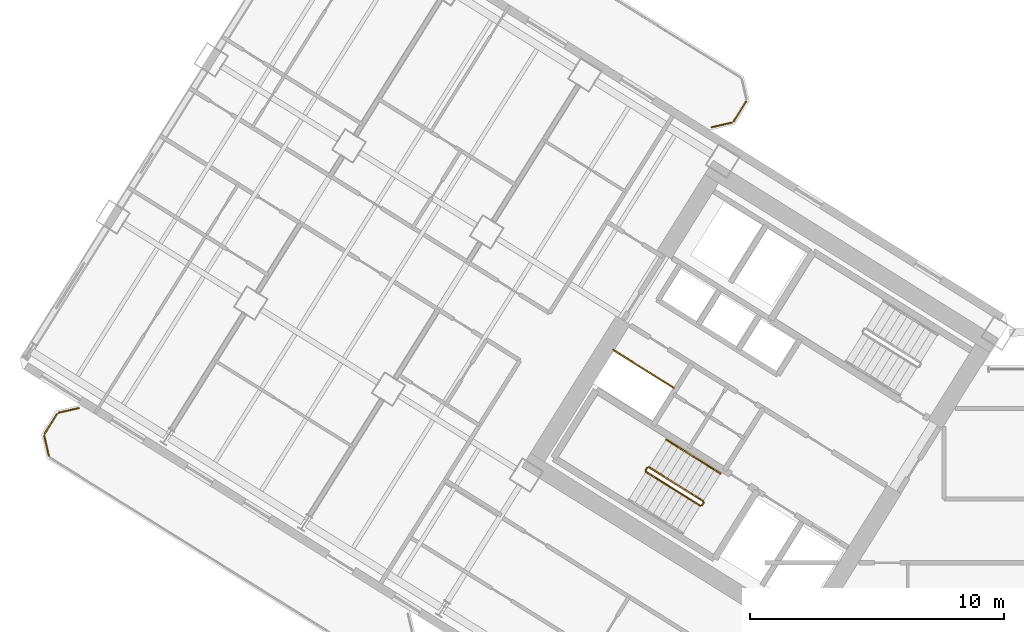
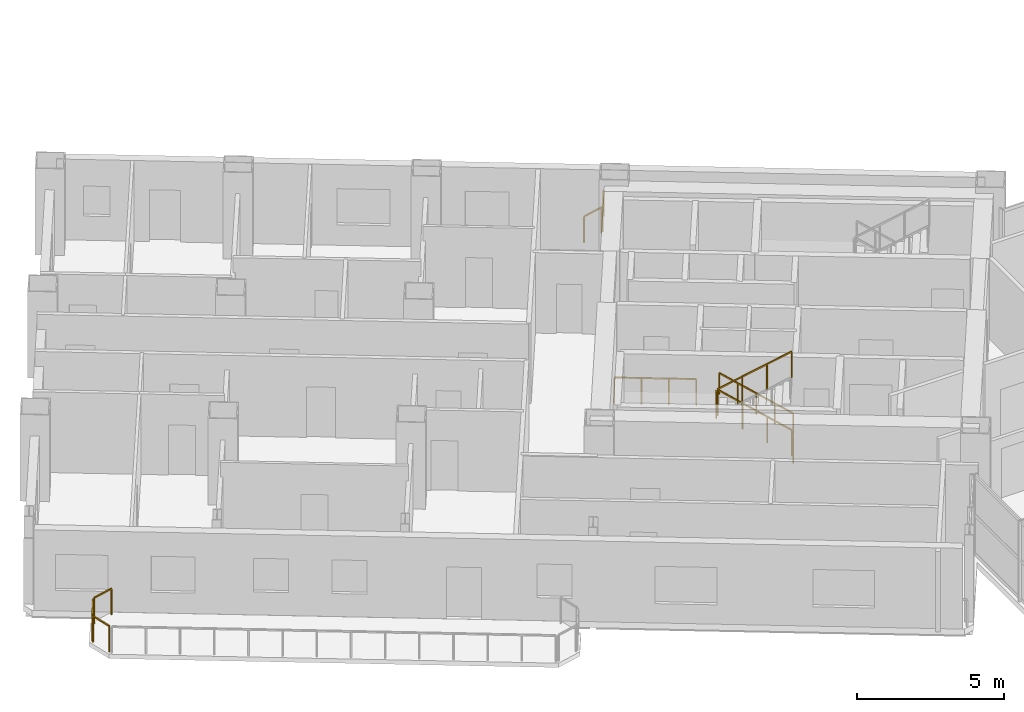
# One storey, part 22 of 24: 12 railings.
"""IFC4 building model written with IfcOpenShell, lengths in metres."""

from ifc_helpers import new_model, si_unit, direction, frame, origin, origin_2d, place, context, subcontext, project, spatial, rectangle, extrude, source, transform, mapped, material, type_object, element, save


model = new_model("IFC4")

# Units and contexts
model_context = context("Model", 3, precision=1e-05, world=origin(), true_north=direction((0.0, 1.0)))
body_context = subcontext(model_context, "Body", "Model", "MODEL_VIEW")
ifc_project = project(units=[si_unit("LENGTHUNIT", "METRE"), si_unit("AREAUNIT", "SQUARE_METRE"), si_unit("VOLUMEUNIT", "CUBIC_METRE"), si_unit("PLANEANGLEUNIT", "RADIAN"), si_unit("MASSUNIT", "GRAM", prefix="KILO")], contexts=[model_context])

# Site, building, storey
site_placement = place(None, origin())
site = spatial("IfcSite", under=ifc_project, at=site_placement, CompositionType="ELEMENT")
building_placement = place(site_placement, origin())
building = spatial("IfcBuilding", under=site, at=building_placement, Name="Tlacorven Tower", CompositionType="ELEMENT")
storey_placement = place(building_placement, frame((0.0, 0.0, 45.60009765625)))
storey = spatial("IfcBuildingStorey", under=building, at=storey_placement, Name="L11", CompositionType="ELEMENT", Elevation=45.60009765625)

# Railings
ifc_material = material(Name="Aluminium and painted steel balustrade", Category="steel")
railing_type_1 = type_object("IfcRailingType", Name="RL-GRD-1100", PredefinedType="GUARDRAIL", material=ifc_material)
shared_shape_1 = source(origin(), body_context, "Body", "SweptSolid", [
    extrude(rectangle(XDim=0.048095703125, YDim=0.048095703125, at=origin_2d()), frame((0.0, 0.0, 1.076171875), z_axis=(-0.848091358275, 0.529850024081, 0.0), x_axis=(-0.529850024081, -0.848091358275, 0.0)), (0.0, 0.0, 1.0), 2.800048828125),
    extrude(rectangle(XDim=0.0419921875, YDim=0.0419921875, at=origin_2d()), origin(), (0.0, 0.0, 1.0), 1.052001953125),
    extrude(rectangle(XDim=0.0419921875, YDim=0.0419921875, at=origin_2d()), frame((-0.79150390625, 0.49462890625, 0.0)), (0.0, 0.0, 1.0), 1.052001953125),
    extrude(rectangle(XDim=0.0419921875, YDim=0.0419921875, at=origin_2d()), frame((-1.583251953125, 0.989013671875, 0.0)), (0.0, 0.0, 1.0), 1.052001953125),
    extrude(rectangle(XDim=0.0419921875, YDim=0.0419921875, at=origin_2d()), frame((-2.374755859375, 1.483642578125, 0.0)), (0.0, 0.0, 1.0), 1.052001953125),
])
railing_1_placement = place(storey_placement, frame((27.9912109375, 22.32080078125, 0.0)))
element("IfcRailing", 1, at=railing_1_placement, inside=storey, type_object=railing_type_1, Name="L11 Electrical Riser W Shaft Guard 1", PredefinedType="GUARDRAIL", context=body_context, shape_type="MappedRepresentation", body=[
    mapped(shared_shape_1, transform((0.0, 0.0, 0.0), scale=1.0)),
])
railing_type_2 = type_object("IfcRailingType", Name="RL-BAL-1100", PredefinedType="BALUSTRADE", material=ifc_material)
shared_shape_2 = source(origin(), body_context, "Body", "SweptSolid", [
    extrude(rectangle(XDim=0.048095703125, YDim=0.048095703125, at=origin_2d()), frame((0.0, 0.0, 1.076171875), z_axis=(-0.52987865805, -0.848073468364, 0.0), x_axis=(0.848073468364, -0.52987865805, 0.0)), (0.0, 0.0, 1.0), 0.912353515625),
    extrude(rectangle(XDim=0.0419921875, YDim=0.0419921875, at=origin_2d()), origin(), (0.0, 0.0, 1.0), 1.052001953125),
    extrude(rectangle(XDim=0.0419921875, YDim=0.0419921875, at=origin_2d()), frame((-0.4833984375, -0.773681640625, 0.0)), (0.0, 0.0, 1.0), 1.052001953125),
])
railing_2_placement = place(storey_placement, frame((30.845947265625, 33.588623046875, 0.0)))
element("IfcRailing", 2, at=railing_2_placement, inside=storey, type_object=railing_type_2, Name="BAL-L11-W-IN Guard Railing 2", PredefinedType="BALUSTRADE", context=body_context, shape_type="MappedRepresentation", body=[
    mapped(shared_shape_2, transform((0.0, 0.0, 0.0), scale=1.0)),
])
shared_shape_3 = source(origin(), body_context, "Body", "SweptSolid", [
    extrude(rectangle(XDim=0.048095703125, YDim=0.048095703125, at=origin_2d()), frame((0.0, 0.0, 1.076171875), z_axis=(-0.225058334816, 0.974345290916, 0.0), x_axis=(-0.974345290916, -0.225058334816, 0.0)), (0.0, 0.0, 1.0), 0.80712890625),
    extrude(rectangle(XDim=0.0419921875, YDim=0.0419921875, at=origin_2d()), origin(), (0.0, 0.0, 1.0), 1.052001953125),
    extrude(rectangle(XDim=0.0419921875, YDim=0.0419921875, at=origin_2d()), frame((-0.181640625, 0.786376953125, 0.0)), (0.0, 0.0, 1.0), 1.052001953125),
])
railing_3_placement = place(storey_placement, frame((3.380859375, 19.62841796875, 0.0)))
element("IfcRailing", 3, at=railing_3_placement, inside=storey, type_object=railing_type_2, Name="BAL-L11-W-OUT Guard Railing 5", PredefinedType="BALUSTRADE", context=body_context, shape_type="MappedRepresentation", body=[
    mapped(shared_shape_3, transform((0.0, 0.0, 0.0), scale=1.0)),
])
shared_shape_4 = source(origin(), body_context, "Body", "SweptSolid", [
    extrude(rectangle(XDim=0.048095703125, YDim=0.048095703125, at=origin_2d()), frame((0.0, 0.0, 1.076171875), z_axis=(0.52987865805, 0.848073468364, 0.0), x_axis=(-0.848073468364, 0.52987865805, 0.0)), (0.0, 0.0, 1.0), 0.912353515625),
    extrude(rectangle(XDim=0.0419921875, YDim=0.0419921875, at=origin_2d()), origin(), (0.0, 0.0, 1.0), 1.052001953125),
    extrude(rectangle(XDim=0.0419921875, YDim=0.0419921875, at=origin_2d()), frame((0.4833984375, 0.773681640625, 0.0)), (0.0, 0.0, 1.0), 1.052001953125),
])
railing_4_placement = place(storey_placement, frame((3.214599609375, 20.505859375, 0.0)))
element("IfcRailing", 4, at=railing_4_placement, inside=storey, type_object=railing_type_2, Name="BAL-L11-W-OUT Guard Railing 6", PredefinedType="BALUSTRADE", context=body_context, shape_type="MappedRepresentation", body=[
    mapped(shared_shape_4, transform((0.0, 0.0, 0.0), scale=1.0)),
])
shared_shape_5 = source(origin(), body_context, "Body", "SweptSolid", [
    extrude(rectangle(XDim=0.048095703125, YDim=0.048095703125, at=origin_2d()), frame((0.0, 0.0, 1.076171875), z_axis=(0.974345290916, 0.225058334816, 0.0), x_axis=(-0.225058334816, 0.974345290916, 0.0)), (0.0, 0.0, 1.0), 0.80712890625),
    extrude(rectangle(XDim=0.0419921875, YDim=0.0419921875, at=origin_2d()), origin(), (0.0, 0.0, 1.0), 1.052001953125),
    extrude(rectangle(XDim=0.0419921875, YDim=0.0419921875, at=origin_2d()), frame((0.786376953125, 0.181640625, 0.0)), (0.0, 0.0, 1.0), 1.052001953125),
])
railing_5_placement = place(storey_placement, frame((3.773193359375, 21.3330078125, 0.0)))
element("IfcRailing", 5, at=railing_5_placement, inside=storey, type_object=railing_type_2, Name="BAL-L11-W-OUT Guard Railing 7", PredefinedType="BALUSTRADE", context=body_context, shape_type="MappedRepresentation", body=[
    mapped(shared_shape_5, transform((0.0, 0.0, 0.0), scale=1.0)),
])
shared_shape_6 = source(origin(), body_context, "Body", "SweptSolid", [
    extrude(rectangle(XDim=0.048095703125, YDim=0.048095703125, at=origin_2d()), frame((0.0, 0.0, 1.076171875), z_axis=(-0.974345290916, -0.225058334816, 0.0), x_axis=(0.225058334816, -0.974345290916, 0.0)), (0.0, 0.0, 1.0), 0.80712890625),
    extrude(rectangle(XDim=0.0419921875, YDim=0.0419921875, at=origin_2d()), origin(), (0.0, 0.0, 1.0), 1.052001953125),
    extrude(rectangle(XDim=0.0419921875, YDim=0.0419921875, at=origin_2d()), frame((-0.786376953125, -0.181640625, 0.0)), (0.0, 0.0, 1.0), 1.052001953125),
])
railing_6_placement = place(storey_placement, frame((30.287353515625, 32.761474609375, 0.0)))
element("IfcRailing", 6, at=railing_6_placement, inside=storey, type_object=railing_type_2, Name="BAL-L11-W-IN Guard Railing 3", PredefinedType="BALUSTRADE", context=body_context, shape_type="MappedRepresentation", body=[
    mapped(shared_shape_6, transform((0.0, 0.0, 0.0), scale=1.0)),
])
shared_shape_7 = source(origin(), body_context, "Body", "SweptSolid", [
    extrude(rectangle(XDim=0.048095703125, YDim=0.048095703125, at=origin_2d()), frame((0.0, 0.0, 1.076171875), z_axis=(-0.529084052582, -0.848569422795, 0.0), x_axis=(0.848569422795, -0.529084052582, 0.0)), (0.0, 0.0, 1.0), 0.119873046875),
    extrude(rectangle(XDim=0.0419921875, YDim=0.0419921875, at=origin_2d()), origin(), (0.0, 0.0, 1.0), 1.052001953125),
    extrude(rectangle(XDim=0.0419921875, YDim=0.0419921875, at=origin_2d()), frame((-0.0634765625, -0.101806640625, 0.0)), (0.0, 0.0, 1.0), 1.052001953125),
])
railing_7_placement = place(storey_placement, frame((29.176513671875, 17.782958984375, 0.0)))
element("IfcRailing", 7, at=railing_7_placement, inside=storey, type_object=railing_type_1, Name="L11 ST-W1 stair guard 4", PredefinedType="GUARDRAIL", context=body_context, shape_type="MappedRepresentation", body=[
    mapped(shared_shape_7, transform((0.0, 0.0, 0.0), scale=1.0)),
])
shared_shape_8 = source(origin(), body_context, "Body", "SweptSolid", [
    extrude(rectangle(XDim=0.048095703125, YDim=0.048095703125, at=origin_2d()), frame((0.0, 0.0, 1.076171875), z_axis=(-0.530546985787, -0.847655529016, 0.0), x_axis=(0.847655529016, -0.530546985787, 0.0)), (0.0, 0.0, 1.0), 0.1201171875),
    extrude(rectangle(XDim=0.0419921875, YDim=0.0419921875, at=origin_2d()), origin(), (0.0, 0.0, 1.0), 1.052001953125),
    extrude(rectangle(XDim=0.0419921875, YDim=0.0419921875, at=origin_2d()), frame((-0.063720703125, -0.101806640625, 0.0)), (0.0, 0.0, 1.0), 1.052001953125),
])
railing_8_placement = place(storey_placement, frame((26.954833984375, 19.17138671875, 1.7998046875)))
element("IfcRailing", 8, at=railing_8_placement, inside=storey, type_object=railing_type_1, Name="L11 ST-W1 stair guard 2", PredefinedType="GUARDRAIL", context=body_context, shape_type="MappedRepresentation", body=[
    mapped(shared_shape_8, transform((0.0, 0.0, 0.0), scale=1.0)),
])
railing_type_3 = type_object("IfcRailingType", Name="RL-HND-0900", PredefinedType="HANDRAIL", material=ifc_material)
shared_shape_9 = source(origin(), body_context, "Body", "SweptSolid", [
    extrude(rectangle(XDim=0.048095703125, YDim=0.048095703125, at=origin_2d()), frame((0.0, 0.0, 0.8759765625), z_axis=(-0.713359751793, 0.4457479829, 0.540764828981), x_axis=(-0.529911857636, -0.848052724267, 0.0)), (0.0, 0.0, 1.0), 1.498046875),
    extrude(rectangle(XDim=0.0419921875, YDim=0.0419921875, at=origin_2d()), origin(), (0.0, 0.0, 1.0), 0.851806640625),
    extrude(rectangle(XDim=0.0419921875, YDim=0.0419921875, at=origin_2d()), frame((-0.5341796875, 0.333984375, 0.405029296875)), (0.0, 0.0, 1.0), 0.851806640625),
    extrude(rectangle(XDim=0.0419921875, YDim=0.0419921875, at=origin_2d()), frame((-1.068603515625, 0.667724609375, 0.81005859375)), (0.0, 0.0, 1.0), 0.851806640625),
])
railing_9_placement = place(storey_placement, frame((29.839111328125, 18.937255859375, 0.179931640625)))
element("IfcRailing", 9, at=railing_9_placement, inside=storey, type_object=railing_type_3, Name="L11 ST-W1 stair handrail 1", PredefinedType="HANDRAIL", context=body_context, shape_type="MappedRepresentation", body=[
    mapped(shared_shape_9, transform((0.0, 0.0, 0.0), scale=1.0)),
])
shared_shape_10 = source(origin(), body_context, "Body", "SweptSolid", [
    extrude(rectangle(XDim=0.048095703125, YDim=0.048095703125, at=origin_2d()), frame((0.0, 0.0, 1.076171875), z_axis=(-0.713351164325, 0.445793541512, 0.540738601085), x_axis=(-0.529955395941, -0.84802551749, 0.0)), (0.0, 0.0, 1.0), 2.99560546875),
    extrude(rectangle(XDim=0.0419921875, YDim=0.0419921875, at=origin_2d()), origin(), (0.0, 0.0, 1.0), 1.052001953125),
    extrude(rectangle(XDim=0.0419921875, YDim=0.0419921875, at=origin_2d()), frame((-0.71240234375, 0.445068359375, 0.5400390625)), (0.0, 0.0, 1.0), 1.052001953125),
    extrude(rectangle(XDim=0.0419921875, YDim=0.0419921875, at=origin_2d()), frame((-1.424560546875, 0.890380859375, 1.079833984375)), (0.0, 0.0, 1.0), 1.052001953125),
    extrude(rectangle(XDim=0.0419921875, YDim=0.0419921875, at=origin_2d()), frame((-2.136962890625, 1.33544921875, 1.619873046875)), (0.0, 0.0, 1.0), 1.052001953125),
])
railing_10_placement = place(storey_placement, frame((29.16064453125, 17.851806640625, 0.179931640625)))
element("IfcRailing", 10, at=railing_10_placement, inside=storey, type_object=railing_type_1, Name="L11 ST-W1 stair guard 1", PredefinedType="GUARDRAIL", context=body_context, shape_type="MappedRepresentation", body=[
    mapped(shared_shape_10, transform((0.0, 0.0, 0.0), scale=1.0)),
])
shared_shape_11 = source(origin(), body_context, "Body", "SweptSolid", [
    extrude(rectangle(XDim=0.048095703125, YDim=0.048095703125, at=origin_2d()), frame((0.0, 0.0, 1.076171875), z_axis=(0.71339118691, -0.44576762536, 0.540707165313), x_axis=(0.529911857636, 0.848052724267, 0.0)), (0.0, 0.0, 1.0), 2.995849609375),
    extrude(rectangle(XDim=0.0419921875, YDim=0.0419921875, at=origin_2d()), origin(), (0.0, 0.0, 1.0), 1.052001953125),
    extrude(rectangle(XDim=0.0419921875, YDim=0.0419921875, at=origin_2d()), frame((0.71240234375, -0.445068359375, 0.5400390625)), (0.0, 0.0, 1.0), 1.052001953125),
    extrude(rectangle(XDim=0.0419921875, YDim=0.0419921875, at=origin_2d()), frame((1.4248046875, -0.890380859375, 1.079833984375)), (0.0, 0.0, 1.0), 1.052001953125),
    extrude(rectangle(XDim=0.0419921875, YDim=0.0419921875, at=origin_2d()), frame((2.13720703125, -1.33544921875, 1.619873046875)), (0.0, 0.0, 1.0), 1.052001953125),
])
railing_11_placement = place(storey_placement, frame((26.906982421875, 19.000732421875, 1.97998046875)))
element("IfcRailing", 11, at=railing_11_placement, inside=storey, type_object=railing_type_1, Name="L11 ST-W1 stair guard 3", PredefinedType="GUARDRAIL", context=body_context, shape_type="MappedRepresentation", body=[
    mapped(shared_shape_11, transform((0.0, 0.0, 0.0), scale=1.0)),
])
shared_shape_12 = source(origin(), body_context, "Body", "SweptSolid", [
    extrude(rectangle(XDim=0.048095703125, YDim=0.048095703125, at=origin_2d()), frame((0.0, 0.0, 0.8759765625), z_axis=(-0.713422621445, 0.445787267455, 0.540649494022), x_axis=(-0.529911857636, -0.848052724267, 0.0)), (0.0, 0.0, 1.0), 1.497802734375),
    extrude(rectangle(XDim=0.0419921875, YDim=0.0419921875, at=origin_2d()), origin(), (0.0, 0.0, 1.0), 0.851806640625),
    extrude(rectangle(XDim=0.0419921875, YDim=0.0419921875, at=origin_2d()), frame((-0.5341796875, 0.333984375, 0.40478515625)), (0.0, 0.0, 1.0), 0.851806640625),
    extrude(rectangle(XDim=0.0419921875, YDim=0.0419921875, at=origin_2d()), frame((-1.068603515625, 0.667724609375, 0.809814453125)), (0.0, 0.0, 1.0), 0.851806640625),
])
railing_12_placement = place(storey_placement, frame((28.7705078125, 19.60498046875, 0.989990234375)))
element("IfcRailing", 12, at=railing_12_placement, inside=storey, type_object=railing_type_3, Name="L11 ST-W1 stair handrail 2", PredefinedType="HANDRAIL", context=body_context, shape_type="MappedRepresentation", body=[
    mapped(shared_shape_12, transform((0.0, 0.0, 0.0), scale=1.0)),
])

save(model, "model.ifc")
